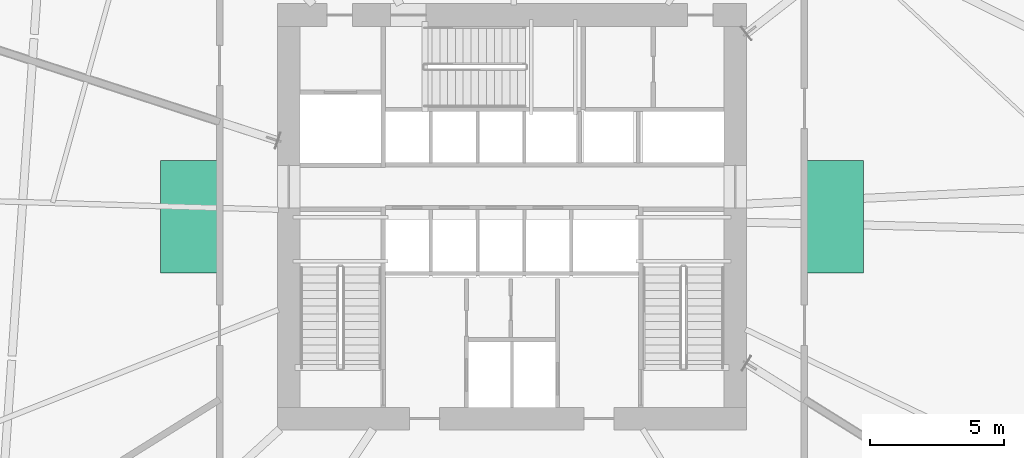
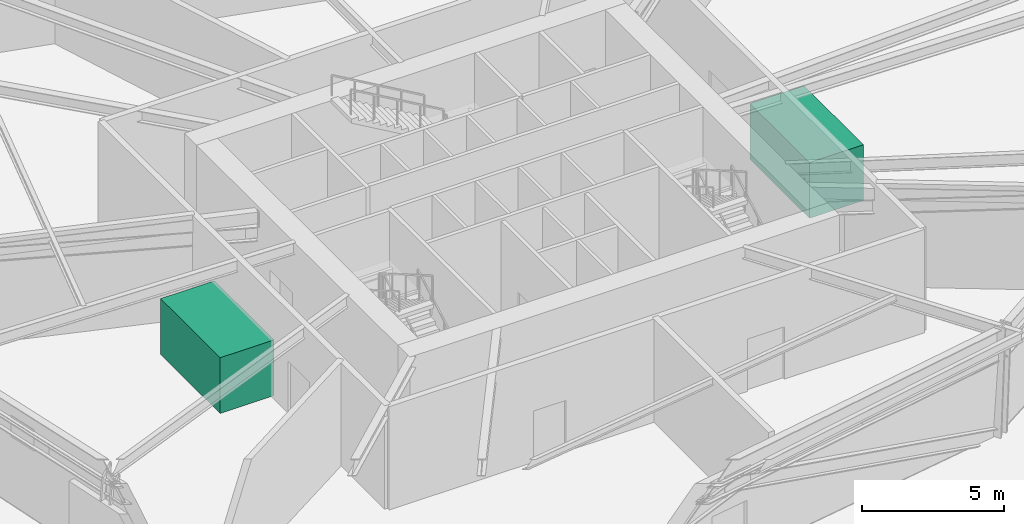
# One storey, part 20 of 20: 2 unitary equipment elements.
"""IFC4 building model written with IfcOpenShell, lengths in metres."""

from ifc_helpers import new_model, si_unit, direction, frame, origin, origin_2d, place, context, subcontext, project, spatial, rectangle, extrude, source, transform, mapped, material, type_object, element, save


model = new_model("IFC4")

# Units and contexts
model_context = context("Model", 3, precision=1e-05, world=origin(), true_north=direction((0.0, 1.0)))
body_context = subcontext(model_context, "Body", "Model", "MODEL_VIEW")
ifc_project = project(units=[si_unit("LENGTHUNIT", "METRE"), si_unit("AREAUNIT", "SQUARE_METRE"), si_unit("VOLUMEUNIT", "CUBIC_METRE"), si_unit("PLANEANGLEUNIT", "RADIAN"), si_unit("MASSUNIT", "GRAM", prefix="KILO")], contexts=[model_context])

# Site, building, storey
site_placement = place(None, origin())
site = spatial("IfcSite", under=ifc_project, at=site_placement, CompositionType="ELEMENT")
building_placement = place(site_placement, origin())
building = spatial("IfcBuilding", under=site, at=building_placement, Name="Olszyna Solenne Hotel", CompositionType="ELEMENT")
storey_placement = place(building_placement, frame((0.0, 0.0, 24.60009765625)))
storey = spatial("IfcBuildingStorey", under=building, at=storey_placement, Name="L05", CompositionType="ELEMENT", Elevation=24.60009765625)

# Unitary equipment
ifc_material = material(Name="Steel S355J2", Category="steel")
unitary_equipment_type = type_object("IfcUnitaryEquipmentType", Name="EQ-CH1", PredefinedType="AIRHANDLER", material=ifc_material)
shared_shape = source(origin(), body_context, "Body", "SweptSolid", [
    extrude(rectangle(XDim=4.199951171875, YDim=2.199951171875, at=origin_2d()), origin(), (0.0, 0.0, 1.0), 2.39990234375),
])
for number, where, z_axis, x_axis, name in (
    (1, (26.0, 26.60009765625, 0.0), (0.0, 0.0, 1.0), (0.0, 1.0, 0.0), "Mechanical heat-recovery AHU skid AHU-L05-1"),
    (2, (50.0, 26.60009765625, 0.0), (0.0, 0.0, 1.0), (0.0, 1.0, 0.0), "Mechanical heat-recovery AHU skid AHU-L05-2"),
):
    element("IfcUnitaryEquipment", number, at=place(storey_placement, frame(where, z_axis=z_axis, x_axis=x_axis)), inside=storey, type_object=unitary_equipment_type, Name=name, PredefinedType="AIRHANDLER", context=body_context, shape_type="MappedRepresentation", body=[
        mapped(shared_shape, transform((0.0, 0.0, 0.0), x_axis=(1.0, 0.0, 0.0), y_axis=(0.0, 1.0, 0.0), z_axis=(0.0, 0.0, 1.0), scale=1.0)),
    ])

save(model, "model.ifc")
